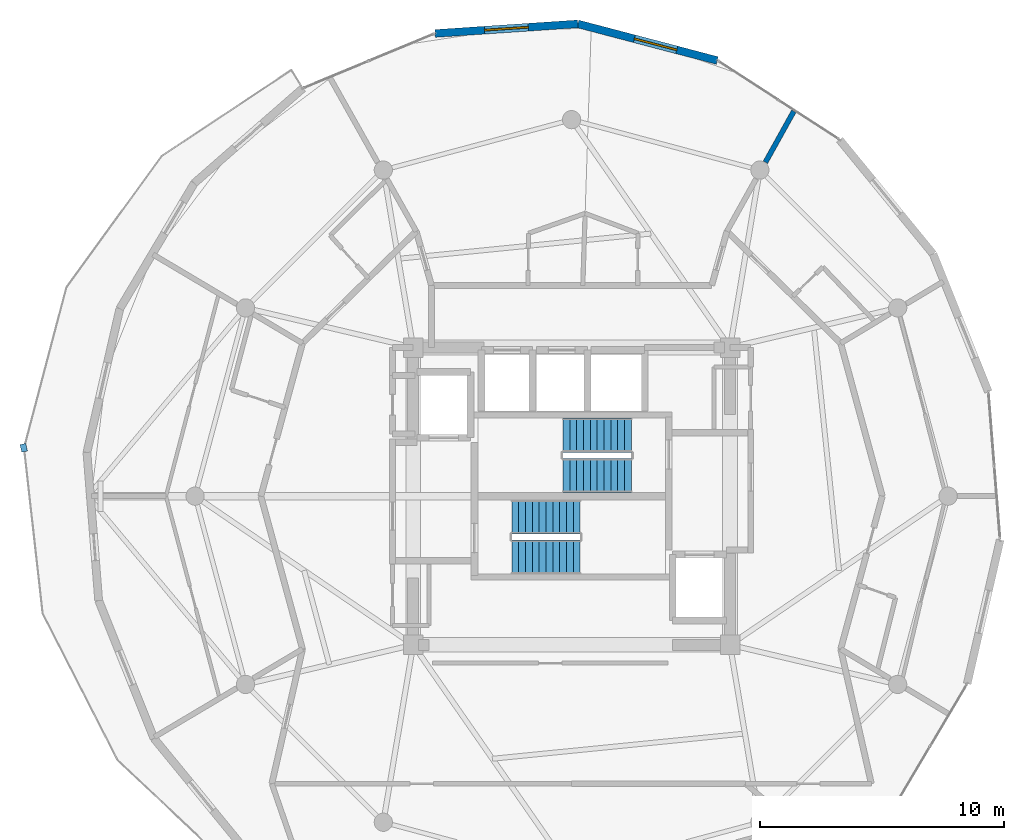
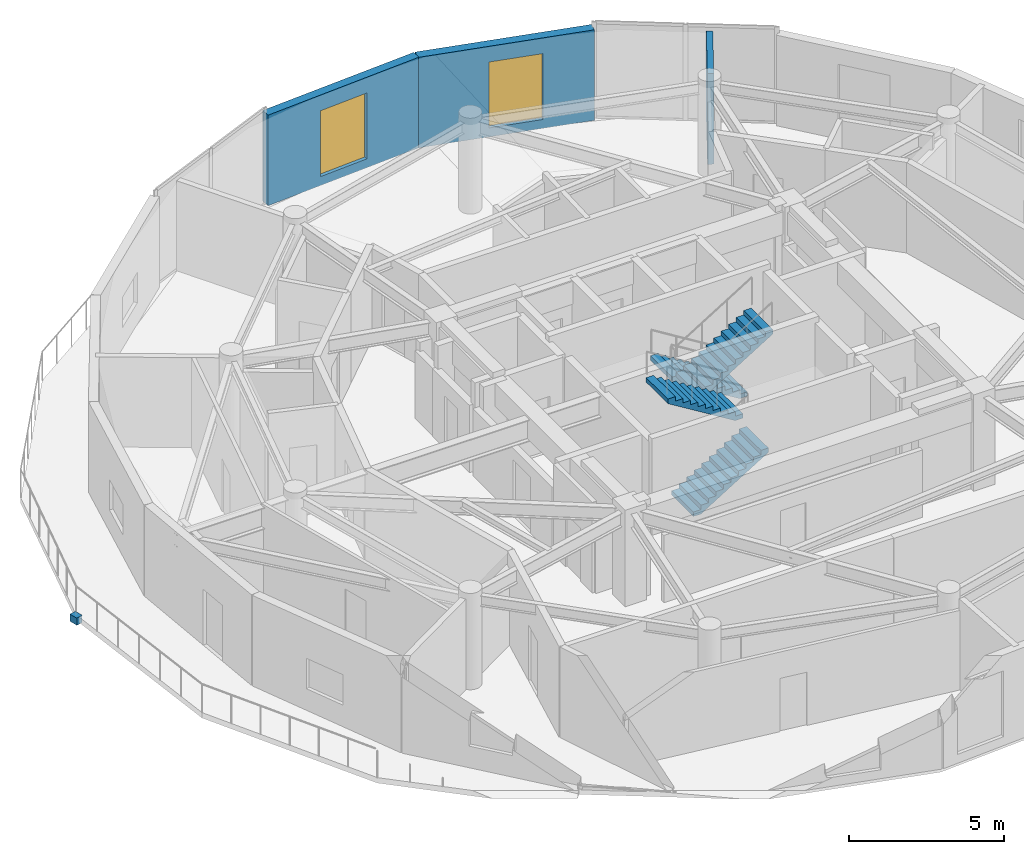
# One storey, part 15 of 17: 4 stair flights, 3 walls, 2 windows, 1 discrete accessory, 2 openings, 2 elements without a shape of their own.
"""IFC4 building model written with IfcOpenShell, lengths in metres."""

from ifc_helpers import new_model, si_unit, direction, frame, frame_2d, origin, origin_2d, place, context, subcontext, project, spatial, polyline, rectangle, outline, extrude, material, layer, layer_set, type_object, element, fill, aggregate, save


model = new_model("IFC4")

# Units and contexts
model_context = context("Model", 3, precision=1e-05, world=origin(), true_north=direction((0.0, 1.0)))
body_context = subcontext(model_context, "Body", "Model", "MODEL_VIEW")
ifc_project = project(units=[si_unit("LENGTHUNIT", "METRE"), si_unit("AREAUNIT", "SQUARE_METRE"), si_unit("VOLUMEUNIT", "CUBIC_METRE"), si_unit("PLANEANGLEUNIT", "RADIAN"), si_unit("MASSUNIT", "GRAM", prefix="KILO")], contexts=[model_context])

# Site, building, storey
site_placement = place(None, origin())
site = spatial("IfcSite", under=ifc_project, at=site_placement, CompositionType="ELEMENT")
building_placement = place(site_placement, origin())
building = spatial("IfcBuilding", under=site, at=building_placement, Name="Solvirekh Grand Hotel", CompositionType="ELEMENT")
storey_placement = place(building_placement, frame((0.0, 0.0, 246.800048828125)))
storey = spatial("IfcBuildingStorey", under=building, at=storey_placement, Name="L64", CompositionType="ELEMENT", Elevation=246.800048828125)

# Wall, opening, window
ifc_material_1 = material(Name="Precast concrete C45/55", Category="concrete")
ifc_layer_1 = layer(ifc_material_1, 0.320068359375)
ifc_layer_set_1 = layer_set([ifc_layer_1], Name="Precast concrete C45/55")
wall_type_1 = type_object("IfcWallType", Name="ExtLobbyWall_RC320", PredefinedType="SOLIDWALL", material=ifc_layer_set_1)
wall_1_placement = place(storey_placement, frame((0.256103515625, 19.37890625, 0.0), z_axis=(0.0, 0.0, 1.0), x_axis=(0.967181914063, -0.254084917124, 0.0)))
wall_1 = element("IfcWall", 1, at=wall_1_placement, inside=storey, type_object=wall_type_1, Name="L64 exterior structural wall chord 9", PredefinedType="SOLIDWALL", context=body_context, shape_type="SweptSolid", body=[
    extrude(rectangle(XDim=5.9150390625, YDim=0.320068359375, at=frame_2d((2.95751953125, 0.0))), origin(), (0.0, 0.0, 1.0), 3.570068359375),
])
opening_1_placement = place(wall_1_placement, frame((2.39599609375, 0.0, 0.35009765625)))
opening_1 = element("IfcOpeningElement", 2, at=opening_1_placement, cuts=wall_1, Name="Opening W02", PredefinedType="OPENING", context=body_context, shape_type="SweptSolid", body=[
    extrude(rectangle(XDim=1.800048828125, YDim=2.60009765625, at=frame_2d((0.89990234375, 1.300048828125))), frame((0.0, 0.169921875, 0.0), z_axis=(0.0, -1.0, 0.0), x_axis=(1.0, 0.0, 0.0)), (0.0, 0.0, 1.0), 0.340087890625),
])
ifc_material_2 = material(Name="Low-E Tinted Bronze Laminated Glass", Category="aluminium")
window_type = type_object("IfcWindowType", Name="Win_LobbyExt_1800X2600", PartitioningType="SINGLE_PANEL", PredefinedType="WINDOW", material=ifc_material_2)
window_1_placement = place(opening_1_placement, origin())
window_1 = element("IfcWindow", 3, at=window_1_placement, inside=storey, type_object=window_type, Name="L64 panoramic bronze-framed window 9", OverallHeight=2.60009765625, OverallWidth=1.800048828125, PartitioningType="SINGLE_PANEL", PredefinedType="WINDOW", context=body_context, shape_type="SweptSolid", body=[
    extrude(rectangle(XDim=1.800048828125, YDim=2.60009765625, at=frame_2d((0.89990234375, 1.300048828125))), frame((0.0, 0.030029296875, 0.0), z_axis=(0.0, -1.0, 0.0), x_axis=(1.0, 0.0, 0.0)), (0.0, 0.0, 1.0), 0.06005859375),
])
fill(opening_1, window_1)

wall_2_placement = place(storey_placement, frame((-5.60302734375, 18.985107421875, 0.0), z_axis=(0.0, 0.0, 1.0), x_axis=(0.997748955427, 0.067059838539, 0.0)))
wall_2 = element("IfcWall", 4, at=wall_2_placement, inside=storey, type_object=wall_type_1, Name="L64 exterior structural wall chord 10", PredefinedType="SOLIDWALL", context=body_context, shape_type="SweptSolid", body=[
    extrude(rectangle(XDim=5.872314453125, YDim=0.320068359375, at=frame_2d((2.93603515625, 0.0))), origin(), (0.0, 0.0, 1.0), 3.570068359375),
])
opening_2_placement = place(wall_2_placement, frame((2.035888671875, 0.0, 0.35009765625)))
opening_2 = element("IfcOpeningElement", 5, at=opening_2_placement, cuts=wall_2, Name="Opening W02", PredefinedType="OPENING", context=body_context, shape_type="SweptSolid", body=[
    extrude(rectangle(XDim=1.800048828125, YDim=2.60009765625, at=frame_2d((0.89990234375, 1.300048828125))), frame((0.0, 0.169921875, 0.0), z_axis=(0.0, -1.0, 0.0), x_axis=(1.0, 0.0, 0.0)), (0.0, 0.0, 1.0), 0.340087890625),
])
window_2_placement = place(opening_2_placement, origin())
window_2 = element("IfcWindow", 6, at=window_2_placement, inside=storey, type_object=window_type, Name="L64 panoramic bronze-framed window 10", OverallHeight=2.60009765625, OverallWidth=1.800048828125, PartitioningType="SINGLE_PANEL", PredefinedType="WINDOW", context=body_context, shape_type="SweptSolid", body=[
    extrude(rectangle(XDim=1.800048828125, YDim=2.60009765625, at=frame_2d((0.89990234375, 1.300048828125))), frame((0.0, 0.030029296875, 0.0), z_axis=(0.0, -1.0, 0.0), x_axis=(1.0, 0.0, 0.0)), (0.0, 0.0, 1.0), 0.06005859375),
])
fill(opening_2, window_2)

# Wall
ifc_material_3 = material(Name="Acoustic Gypsum Partition Assembly")
ifc_layer_2 = layer(ifc_material_3, 0.2099609375)
ifc_layer_set_2 = layer_set([ifc_layer_2], Name="Acoustic Gypsum Partition Assembly")
wall_type_2 = type_object("IfcWallType", Name="Part_SuiteDemise_210", PredefinedType="PARTITIONING", material=ifc_layer_set_2)
wall_3_placement = place(storey_placement, frame((7.9541015625, 13.701904296875, 0.0), z_axis=(0.0, 0.0, 1.0), x_axis=(0.486456485885, 0.873704805607, 0.0)))
element("IfcWall", 7, at=wall_3_placement, inside=storey, type_object=wall_type_2, Name="L64 suite radial wall 3 (B)", PredefinedType="PARTITIONING", context=body_context, shape_type="SweptSolid", body=[
    extrude(rectangle(XDim=2.39453125, YDim=0.2099609375, at=frame_2d((1.197265625, 0.0))), origin(), (0.0, 0.0, 1.0), 3.570068359375),
])

# Stair, stair flights
ifc_material_4 = material(Name="Concrete C40/50", Category="concrete")
stair_type = type_object("IfcStairType", Name="Stair_Core_1450", PredefinedType="HALF_TURN_STAIR", material=ifc_material_4)
stair_1_placement = place(storey_placement, origin())
stair_1 = element("IfcStair", 8, at=stair_1_placement, inside=storey, type_object=stair_type, Name="L64 Enclosed exit stair ST-1", PredefinedType="HALF_TURN_STAIR")
stair_flight_type = type_object("IfcStairFlightType", Name="Flight_Core_1450", PredefinedType="STRAIGHT", material=ifc_material_4)
stair_flight_1_placement = place(storey_placement, frame((-2.449951171875, -2.5, 0.0), z_axis=(0.0, 0.0, 1.0), x_axis=(1.0, 0.0, 0.0)))
stair_flight_1 = element("IfcStairFlight", 9, at=stair_flight_1_placement, type_object=stair_flight_type, Name="ST-1 flight 1", NumberOfRisers=11, NumberOfTreads=10, PredefinedType="STRAIGHT", RiserHeight=0.172727273, TreadLength=0.28, context=body_context, shape_type="SweptSolid", body=[
    extrude(outline(polyline([(0.0, 0.0), (0.0, 0.172607421875), (0.280029296875, 0.172607421875), (0.280029296875, 0.345458984375), (0.56005859375, 0.345458984375), (0.56005859375, 0.51806640625), (0.840087890625, 0.51806640625), (0.840087890625, 0.69091796875), (1.1201171875, 0.69091796875), (1.1201171875, 0.863525390625), (1.39990234375, 0.863525390625), (1.39990234375, 1.036376953125), (1.679931640625, 1.036376953125), (1.679931640625, 1.208984375), (1.9599609375, 1.208984375), (1.9599609375, 1.3818359375), (2.239990234375, 1.3818359375), (2.239990234375, 1.554443359375), (2.52001953125, 1.554443359375), (2.52001953125, 1.727294921875), (2.800048828125, 1.727294921875), (2.800048828125, 1.89990234375), (2.800048828125, 1.551025390625), (0.285400390625, 0.0), (0.0, 0.0)])), frame((0.0, 0.699951171875, 0.0), z_axis=(0.0, -1.0, 0.0), x_axis=(1.0, 0.0, 0.0)), (0.0, 0.0, 1.0), 1.39990234375),
])
stair_flight_2_placement = place(storey_placement, frame((0.35009765625, -0.85009765625, 1.89990234375), z_axis=(0.0, 0.0, 1.0), x_axis=(-1.0, 0.0, 0.0)))
stair_flight_2 = element("IfcStairFlight", 10, at=stair_flight_2_placement, type_object=stair_flight_type, Name="ST-1 flight 2", NumberOfRisers=11, NumberOfTreads=10, PredefinedType="STRAIGHT", RiserHeight=0.172727273, TreadLength=0.28, context=body_context, shape_type="SweptSolid", body=[
    extrude(outline(polyline([(0.0, 0.0), (0.0, 0.172607421875), (0.280029296875, 0.172607421875), (0.280029296875, 0.345458984375), (0.56005859375, 0.345458984375), (0.56005859375, 0.51806640625), (0.840087890625, 0.51806640625), (0.840087890625, 0.69091796875), (1.1201171875, 0.69091796875), (1.1201171875, 0.863525390625), (1.39990234375, 0.863525390625), (1.39990234375, 1.036376953125), (1.679931640625, 1.036376953125), (1.679931640625, 1.208984375), (1.9599609375, 1.208984375), (1.9599609375, 1.3818359375), (2.239990234375, 1.3818359375), (2.239990234375, 1.554443359375), (2.52001953125, 1.554443359375), (2.52001953125, 1.727294921875), (2.800048828125, 1.727294921875), (2.800048828125, 1.89990234375), (2.800048828125, 1.551025390625), (0.285400390625, 0.0), (0.0, 0.0)])), frame((0.0, 0.699951171875, 0.0), z_axis=(0.0, -1.0, 0.0), x_axis=(1.0, 0.0, 0.0)), (0.0, 0.0, 1.0), 1.39990234375),
])
aggregate(stair_1, [stair_flight_1, stair_flight_2])

stair_2_placement = place(storey_placement, origin())
stair_2 = element("IfcStair", 11, at=stair_2_placement, inside=storey, type_object=stair_type, Name="L64 Enclosed exit stair ST-2", PredefinedType="HALF_TURN_STAIR")
stair_flight_3_placement = place(storey_placement, frame((2.449951171875, 2.5, 0.0), z_axis=(0.0, 0.0, 1.0), x_axis=(-1.0, 0.0, 0.0)))
stair_flight_3 = element("IfcStairFlight", 12, at=stair_flight_3_placement, type_object=stair_flight_type, Name="ST-2 flight 1", NumberOfRisers=11, NumberOfTreads=10, PredefinedType="STRAIGHT", RiserHeight=0.172727273, TreadLength=0.28, context=body_context, shape_type="SweptSolid", body=[
    extrude(outline(polyline([(0.0, 0.0), (0.0, 0.172607421875), (0.280029296875, 0.172607421875), (0.280029296875, 0.345458984375), (0.56005859375, 0.345458984375), (0.56005859375, 0.51806640625), (0.840087890625, 0.51806640625), (0.840087890625, 0.69091796875), (1.1201171875, 0.69091796875), (1.1201171875, 0.863525390625), (1.39990234375, 0.863525390625), (1.39990234375, 1.036376953125), (1.679931640625, 1.036376953125), (1.679931640625, 1.208984375), (1.9599609375, 1.208984375), (1.9599609375, 1.3818359375), (2.239990234375, 1.3818359375), (2.239990234375, 1.554443359375), (2.52001953125, 1.554443359375), (2.52001953125, 1.727294921875), (2.800048828125, 1.727294921875), (2.800048828125, 1.89990234375), (2.800048828125, 1.551025390625), (0.285400390625, 0.0), (0.0, 0.0)])), frame((0.0, 0.699951171875, 0.0), z_axis=(0.0, -1.0, 0.0), x_axis=(1.0, 0.0, 0.0)), (0.0, 0.0, 1.0), 1.39990234375),
])
stair_flight_4_placement = place(storey_placement, frame((-0.35009765625, 0.85009765625, 1.89990234375), z_axis=(0.0, 0.0, 1.0), x_axis=(1.0, 0.0, 0.0)))
stair_flight_4 = element("IfcStairFlight", 13, at=stair_flight_4_placement, type_object=stair_flight_type, Name="ST-2 flight 2", NumberOfRisers=11, NumberOfTreads=10, PredefinedType="STRAIGHT", RiserHeight=0.172727273, TreadLength=0.28, context=body_context, shape_type="SweptSolid", body=[
    extrude(outline(polyline([(0.0, 0.0), (0.0, 0.172607421875), (0.280029296875, 0.172607421875), (0.280029296875, 0.345458984375), (0.56005859375, 0.345458984375), (0.56005859375, 0.51806640625), (0.840087890625, 0.51806640625), (0.840087890625, 0.69091796875), (1.1201171875, 0.69091796875), (1.1201171875, 0.863525390625), (1.39990234375, 0.863525390625), (1.39990234375, 1.036376953125), (1.679931640625, 1.036376953125), (1.679931640625, 1.208984375), (1.9599609375, 1.208984375), (1.9599609375, 1.3818359375), (2.239990234375, 1.3818359375), (2.239990234375, 1.554443359375), (2.52001953125, 1.554443359375), (2.52001953125, 1.727294921875), (2.800048828125, 1.727294921875), (2.800048828125, 1.89990234375), (2.800048828125, 1.551025390625), (0.285400390625, 0.0), (0.0, 0.0)])), frame((0.0, 0.699951171875, 0.0), z_axis=(0.0, -1.0, 0.0), x_axis=(1.0, 0.0, 0.0)), (0.0, 0.0, 1.0), 1.39990234375),
])
aggregate(stair_2, [stair_flight_3, stair_flight_4])

# Discrete accessory
ifc_material_5 = material(Name="Steel S355", Category="steel")
discrete_accessory_type = type_object("IfcDiscreteAccessoryType", Name="Acc_ThermalBracket", PredefinedType="BRACKET", material=ifc_material_5)
discrete_accessory_placement = place(storey_placement, frame((-22.47998046875, 1.98291015625, -0.2802734375), z_axis=(0.0, 0.0, 1.0), x_axis=(0.228350870111, -0.973578902873, 0.0)))
element("IfcDiscreteAccessory", 14, at=discrete_accessory_placement, inside=storey, type_object=discrete_accessory_type, Name="L64 balcony thermal-break bracket", PredefinedType="BRACKET", context=body_context, shape_type="SweptSolid", body=[
    extrude(rectangle(XDim=0.320068359375, YDim=0.239990234375, at=origin_2d()), origin(), (0.0, 0.0, 1.0), 0.280029296875),
])

save(model, "model.ifc")
